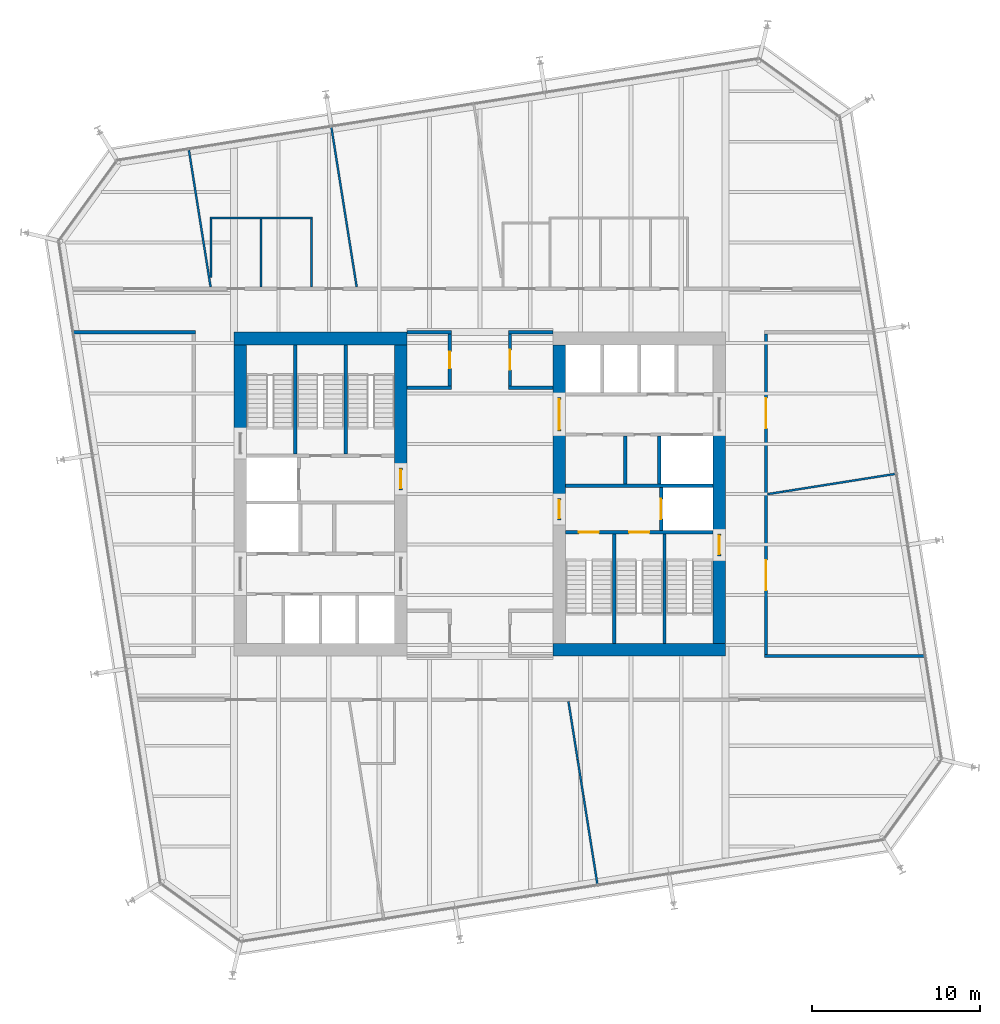
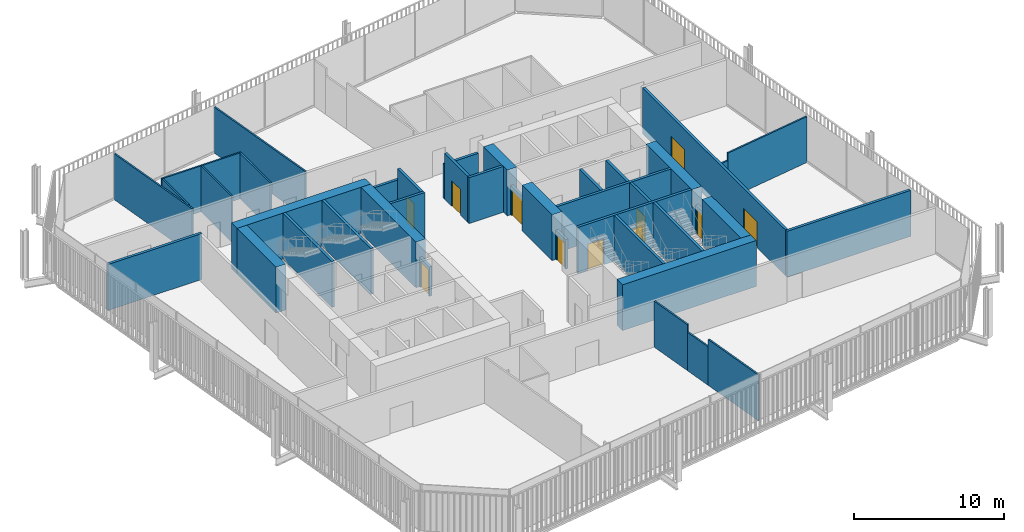
# One storey, part 18 of 21: 41 walls, 11 doors, 11 openings.
"""IFC4 building model written with IfcOpenShell, lengths in metres."""

from ifc_helpers import new_model, si_unit, direction, frame, frame_2d, origin, place, context, subcontext, project, spatial, rectangle, extrude, material, layer, layer_set, type_object, element, fill, save


model = new_model("IFC4")

# Units and contexts
model_context = context("Model", 3, precision=1e-05, world=origin(), true_north=direction((0.0, 1.0)))
body_context = subcontext(model_context, "Body", "Model", "MODEL_VIEW")
ifc_project = project(units=[si_unit("LENGTHUNIT", "METRE"), si_unit("AREAUNIT", "SQUARE_METRE"), si_unit("VOLUMEUNIT", "CUBIC_METRE"), si_unit("PLANEANGLEUNIT", "RADIAN"), si_unit("MASSUNIT", "GRAM", prefix="KILO")], contexts=[model_context])

# Site, building, storey
site_placement = place(None, origin())
site = spatial("IfcSite", under=ifc_project, at=site_placement, CompositionType="ELEMENT")
building_placement = place(site_placement, origin())
building = spatial("IfcBuilding", under=site, at=building_placement, Name="Millrace Tower", CompositionType="ELEMENT")
storey_placement = place(building_placement, frame((0.0, 0.0, 183.89990234375)))
storey = spatial("IfcBuildingStorey", under=building, at=storey_placement, Name="L41", CompositionType="ELEMENT", Elevation=183.89990234375)

# Walls
ifc_material_1 = material(Name="Concrete C70", Category="concrete")
ifc_layer_1 = layer(ifc_material_1, 0.75)
ifc_layer_set_1 = layer_set([ifc_layer_1], Name="Concrete C70")
wall_type_1 = type_object("IfcWallType", Name="Core wall 750 Concrete C70", PredefinedType="SHEAR", material=ifc_layer_set_1)
wall_1_placement = place(storey_placement, frame((-14.64990234375, 9.27490234375, 0.0), z_axis=(0.0, 0.0, 1.0), x_axis=(1.0, 0.0, 0.0)))
element("IfcWall", 1, at=wall_1_placement, inside=storey, type_object=wall_type_1, Name="Core wall W L41", PredefinedType="SHEAR", context=body_context, shape_type="SweptSolid", body=[
    extrude(rectangle(XDim=10.2998046875, YDim=0.75, at=frame_2d((5.14990234375, 0.0))), origin(), (0.0, 0.0, 1.0), 3.739990234375),
])
wall_2_placement = place(storey_placement, frame((-14.27490234375, 3.679931640625, 0.0), z_axis=(0.0, 0.0, 1.0), x_axis=(0.0, 1.0, 0.0)))
element("IfcWall", 2, at=wall_2_placement, inside=storey, type_object=wall_type_1, Name="Core wall W L41", PredefinedType="SHEAR", context=body_context, shape_type="SweptSolid", body=[
    extrude(rectangle(XDim=5.219970703125, YDim=0.75, at=frame_2d((2.60986328125, 0.0))), origin(), (0.0, 0.0, 1.0), 3.739990234375),
])
wall_3_placement = place(storey_placement, frame((-4.72509765625, 1.550048828125, 0.0), z_axis=(0.0, 0.0, 1.0), x_axis=(0.0, 1.0, 0.0)))
element("IfcWall", 3, at=wall_3_placement, inside=storey, type_object=wall_type_1, Name="Core wall W L41", PredefinedType="SHEAR", context=body_context, shape_type="SweptSolid", body=[
    extrude(rectangle(XDim=7.349853515625, YDim=0.75, at=frame_2d((3.6748046875, 0.0))), origin(), (0.0, 0.0, 1.0), 3.739990234375),
])
wall_4_placement = place(storey_placement, frame((14.64990234375, -9.27490234375, 0.0), z_axis=(0.0, 0.0, 1.0), x_axis=(-1.0, 0.0, 0.0)))
element("IfcWall", 4, at=wall_4_placement, inside=storey, type_object=wall_type_1, Name="Core wall E L41", PredefinedType="SHEAR", context=body_context, shape_type="SweptSolid", body=[
    extrude(rectangle(XDim=10.2998046875, YDim=0.75, at=frame_2d((5.14990234375, 0.0))), origin(), (0.0, 0.0, 1.0), 3.739990234375),
])
wall_5_placement = place(storey_placement, frame((14.27490234375, 3.75, 0.0), z_axis=(0.0, 0.0, 1.0), x_axis=(0.0, -1.0, 0.0)))
element("IfcWall", 5, at=wall_5_placement, inside=storey, type_object=wall_type_1, Name="Core wall E L41", PredefinedType="SHEAR", context=body_context, shape_type="SweptSolid", body=[
    extrude(rectangle(XDim=6.1298828125, YDim=0.75, at=frame_2d((3.06494140625, 0.0))), origin(), (0.0, 0.0, 1.0), 3.739990234375),
])
wall_6_placement = place(storey_placement, frame((14.27490234375, -3.679931640625, 0.0), z_axis=(0.0, 0.0, 1.0), x_axis=(0.0, -1.0, 0.0)))
element("IfcWall", 6, at=wall_6_placement, inside=storey, type_object=wall_type_1, Name="Core wall E L41", PredefinedType="SHEAR", context=body_context, shape_type="SweptSolid", body=[
    extrude(rectangle(XDim=5.219970703125, YDim=0.75, at=frame_2d((2.60986328125, 0.0))), origin(), (0.0, 0.0, 1.0), 3.739990234375),
])
wall_7_placement = place(storey_placement, frame((4.72509765625, 8.89990234375, 0.0), z_axis=(0.0, 0.0, 1.0), x_axis=(0.0, -1.0, 0.0)))
element("IfcWall", 7, at=wall_7_placement, inside=storey, type_object=wall_type_1, Name="Core wall E L41", PredefinedType="SHEAR", context=body_context, shape_type="SweptSolid", body=[
    extrude(rectangle(XDim=3.14990234375, YDim=0.75, at=frame_2d((1.574951171875, 0.0))), origin(), (0.0, 0.0, 1.0), 3.739990234375),
])
wall_8_placement = place(storey_placement, frame((4.72509765625, 3.75, 0.0), z_axis=(0.0, 0.0, 1.0), x_axis=(0.0, -1.0, 0.0)))
element("IfcWall", 8, at=wall_8_placement, inside=storey, type_object=wall_type_1, Name="Core wall E L41", PredefinedType="SHEAR", context=body_context, shape_type="SweptSolid", body=[
    extrude(rectangle(XDim=4.0, YDim=0.75, at=frame_2d((2.0, 0.0))), origin(), (0.0, 0.0, 1.0), 3.739990234375),
])
ifc_material_2 = material(Name="Masonry partition, fire-rated", Category="masonry")
ifc_layer_2 = layer(ifc_material_2, 0.199951171875)
ifc_layer_set_2 = layer_set([ifc_layer_2], Name="Masonry partition, fire-rated")
wall_type_2 = type_object("IfcWallType", Name="Corridor wall 200", PredefinedType="PARTITIONING", material=ifc_layer_set_2)
wall_9_placement = place(storey_placement, frame((16.949951171875, -9.64990234375, 0.0), z_axis=(0.0, 0.0, 1.0), x_axis=(1.0, 0.0, 0.0)))
element("IfcWall", 9, at=wall_9_placement, inside=storey, type_object=wall_type_2, Name="Corridor wall L41", PredefinedType="PARTITIONING", context=body_context, shape_type="SweptSolid", body=[
    extrude(rectangle(XDim=9.54638671875, YDim=0.199951171875, at=frame_2d((4.773193359375, 0.0))), origin(), (0.0, 0.0, 1.0), 3.739990234375),
])
for number, where, z_axis, x_axis, name in (
    (10, (-4.35009765625, 6.35009765625, 0.0), (0.0, 0.0, 1.0), (1.0, 0.0, 0.0), "Corridor wall L41"),
    (11, (1.699951171875, 6.35009765625, 0.0), (0.0, 0.0, 1.0), (1.0, 0.0, 0.0), "Corridor wall L41"),
):
    element("IfcWall", number, at=place(storey_placement, frame(where, z_axis=z_axis, x_axis=x_axis)), inside=storey, type_object=wall_type_2, Name=name, PredefinedType="PARTITIONING", context=body_context, shape_type="SweptSolid", body=[
        extrude(rectangle(XDim=2.650146484375, YDim=0.199951171875, at=frame_2d((1.3251953125, 0.0))), origin(), (0.0, 0.0, 1.0), 3.739990234375),
    ])
wall_10_placement = place(storey_placement, frame((-24.20703125, 9.64990234375, 0.0), z_axis=(0.0, 0.0, 1.0), x_axis=(1.0, 0.0, 0.0)))
element("IfcWall", 12, at=wall_10_placement, inside=storey, type_object=wall_type_2, Name="Corridor wall L41", PredefinedType="PARTITIONING", context=body_context, shape_type="SweptSolid", body=[
    extrude(rectangle(XDim=7.257080078125, YDim=0.199951171875, at=frame_2d((3.62841796875, 0.0))), origin(), (0.0, 0.0, 1.0), 3.739990234375),
])
for number, where, z_axis, x_axis, name in (
    (13, (-4.35009765625, 9.64990234375, 0.0), (0.0, 0.0, 1.0), (1.0, 0.0, 0.0), "Corridor wall L41"),
    (14, (1.699951171875, 9.64990234375, 0.0), (0.0, 0.0, 1.0), (1.0, 0.0, 0.0), "Corridor wall L41"),
):
    element("IfcWall", number, at=place(storey_placement, frame(where, z_axis=z_axis, x_axis=x_axis)), inside=storey, type_object=wall_type_2, Name=name, PredefinedType="PARTITIONING", context=body_context, shape_type="SweptSolid", body=[
        extrude(rectangle(XDim=2.650146484375, YDim=0.199951171875, at=frame_2d((1.3251953125, 0.0))), origin(), (0.0, 0.0, 1.0), 2.81298828125),
    ])

# Wall, openings, doors
wall_11_placement = place(storey_placement, frame((17.050048828125, -9.550048828125, 0.0), z_axis=(0.0, 0.0, 1.0), x_axis=(0.0, 1.0, 0.0)))
wall_11 = element("IfcWall", 15, at=wall_11_placement, inside=storey, type_object=wall_type_2, Name="Corridor wall L41", PredefinedType="PARTITIONING", context=body_context, shape_type="SweptSolid", body=[
    extrude(rectangle(XDim=19.10009765625, YDim=0.199951171875, at=frame_2d((9.550048828125, 0.0))), origin(), (0.0, 0.0, 1.0), 3.739990234375),
])
opening_1_placement = place(wall_11_placement, frame((3.81689453125, 0.0, 0.0)))
opening_1 = element("IfcOpeningElement", 16, at=opening_1_placement, cuts=wall_11, Name="Opening 41-P012", PredefinedType="OPENING", context=body_context, shape_type="SweptSolid", body=[
    extrude(rectangle(XDim=1.800048828125, YDim=2.10009765625, at=frame_2d((0.89990234375, 1.050048828125))), frame((0.0, 0.10986328125, 0.0), z_axis=(0.0, -1.0, 0.0), x_axis=(1.0, 0.0, 0.0)), (0.0, 0.0, 1.0), 0.219970703125),
])
opening_2_placement = place(wall_11_placement, frame((13.467041015625, 0.0, 0.0)))
opening_2 = element("IfcOpeningElement", 17, at=opening_2_placement, cuts=wall_11, Name="Opening 41-P013", PredefinedType="OPENING", context=body_context, shape_type="SweptSolid", body=[
    extrude(rectangle(XDim=1.800048828125, YDim=2.10009765625, at=frame_2d((0.89990234375, 1.050048828125))), frame((0.0, 0.10986328125, 0.0), z_axis=(0.0, -1.0, 0.0), x_axis=(1.0, 0.0, 0.0)), (0.0, 0.0, 1.0), 0.219970703125),
])
ifc_material_3 = material(Name="Steel door set, fire-rated", Category="steel")
door_type_1 = type_object("IfcDoorType", Name="Corridor door 1800 x 2100", OperationType="DOUBLE_DOOR_SINGLE_SWING", PredefinedType="DOOR", material=ifc_material_3)
door_1_placement = place(opening_1_placement, frame((1.800048828125, 0.0, 0.0), z_axis=(0.0, 0.0, 1.0), x_axis=(-1.0, 0.0, 0.0)))
door_1 = element("IfcDoor", 18, at=door_1_placement, inside=storey, type_object=door_type_1, Name="Door 41-P012", OperationType="DOUBLE_DOOR_SINGLE_SWING", OverallHeight=2.10009765625, OverallWidth=1.800048828125, PredefinedType="DOOR", context=body_context, shape_type="SweptSolid", body=[
    extrude(rectangle(XDim=1.800048828125, YDim=2.10009765625, at=frame_2d((0.89990234375, 1.050048828125))), frame((0.0, 0.02490234375, 0.0), z_axis=(0.0, -1.0, 0.0), x_axis=(1.0, 0.0, 0.0)), (0.0, 0.0, 1.0), 0.050048828125),
])
fill(opening_1, door_1)
door_2_placement = place(opening_2_placement, frame((1.800048828125, 0.0, 0.0), z_axis=(0.0, 0.0, 1.0), x_axis=(-1.0, 0.0, 0.0)))
door_2 = element("IfcDoor", 19, at=door_2_placement, inside=storey, type_object=door_type_1, Name="Door 41-P013", OperationType="DOUBLE_DOOR_SINGLE_SWING", OverallHeight=2.10009765625, OverallWidth=1.800048828125, PredefinedType="DOOR", context=body_context, shape_type="SweptSolid", body=[
    extrude(rectangle(XDim=1.800048828125, YDim=2.10009765625, at=frame_2d((0.89990234375, 1.050048828125))), frame((0.0, 0.02490234375, 0.0), z_axis=(0.0, -1.0, 0.0), x_axis=(1.0, 0.0, 0.0)), (0.0, 0.0, 1.0), 0.050048828125),
])
fill(opening_2, door_2)

# Wall, opening, door
wall_12_placement = place(storey_placement, frame((1.800048828125, 6.449951171875, 0.0), z_axis=(0.0, 0.0, 1.0), x_axis=(0.0, 1.0, 0.0)))
wall_12 = element("IfcWall", 20, at=wall_12_placement, inside=storey, type_object=wall_type_2, Name="Corridor wall L41", PredefinedType="PARTITIONING", context=body_context, shape_type="SweptSolid", body=[
    extrude(rectangle(XDim=3.10009765625, YDim=0.199951171875, at=frame_2d((1.550048828125, 0.0))), origin(), (0.0, 0.0, 1.0), 3.739990234375),
])
opening_3_placement = place(wall_12_placement, frame((0.949951171875, 0.0, 0.0)))
opening_3 = element("IfcOpeningElement", 21, at=opening_3_placement, cuts=wall_12, Name="Opening 41-P002", PredefinedType="OPENING", context=body_context, shape_type="SweptSolid", body=[
    extrude(rectangle(XDim=1.199951171875, YDim=2.10009765625, at=frame_2d((0.60009765625, 1.050048828125))), frame((0.0, 0.10986328125, 0.0), z_axis=(0.0, -1.0, 0.0), x_axis=(1.0, 0.0, 0.0)), (0.0, 0.0, 1.0), 0.219970703125),
])
ifc_material_4 = material(Name="Steel door set, fire-rated", Category="steel")
door_type_2 = type_object("IfcDoorType", Name="Corridor door 1200 x 2100", OperationType="SINGLE_SWING_LEFT", PredefinedType="DOOR", material=ifc_material_4)
door_3_placement = place(opening_3_placement, frame((1.199951171875, 0.0, 0.0), z_axis=(0.0, 0.0, 1.0), x_axis=(-1.0, 0.0, 0.0)))
door_3 = element("IfcDoor", 22, at=door_3_placement, inside=storey, type_object=door_type_2, Name="Door 41-P002", OperationType="SINGLE_SWING_RIGHT", OverallHeight=2.10009765625, OverallWidth=1.199951171875, PredefinedType="DOOR", context=body_context, shape_type="SweptSolid", body=[
    extrude(rectangle(XDim=1.199951171875, YDim=2.10009765625, at=frame_2d((0.60009765625, 1.050048828125))), frame((0.0, 0.02490234375, 0.0), z_axis=(0.0, -1.0, 0.0), x_axis=(1.0, 0.0, 0.0)), (0.0, 0.0, 1.0), 0.050048828125),
])
fill(opening_3, door_3)

wall_13_placement = place(storey_placement, frame((-1.800048828125, 6.449951171875, 0.0), z_axis=(0.0, 0.0, 1.0), x_axis=(0.0, 1.0, 0.0)))
wall_13 = element("IfcWall", 23, at=wall_13_placement, inside=storey, type_object=wall_type_2, Name="Corridor wall L41", PredefinedType="PARTITIONING", context=body_context, shape_type="SweptSolid", body=[
    extrude(rectangle(XDim=3.10009765625, YDim=0.199951171875, at=frame_2d((1.550048828125, 0.0))), origin(), (0.0, 0.0, 1.0), 3.739990234375),
])
opening_4_placement = place(wall_13_placement, frame((1.050048828125, 0.0, 0.0)))
opening_4 = element("IfcOpeningElement", 24, at=opening_4_placement, cuts=wall_13, Name="Opening 41-P001", PredefinedType="OPENING", context=body_context, shape_type="SweptSolid", body=[
    extrude(rectangle(XDim=1.0, YDim=2.10009765625, at=frame_2d((0.5, 1.050048828125))), frame((0.0, 0.10986328125, 0.0), z_axis=(0.0, -1.0, 0.0), x_axis=(1.0, 0.0, 0.0)), (0.0, 0.0, 1.0), 0.219970703125),
])
ifc_material_5 = material(Name="Steel door set, fire-rated", Category="steel")
door_type_3 = type_object("IfcDoorType", Name="Corridor door 1000 x 2100", OperationType="SINGLE_SWING_LEFT", PredefinedType="DOOR", material=ifc_material_5)
door_4_placement = place(opening_4_placement, origin())
door_4 = element("IfcDoor", 25, at=door_4_placement, inside=storey, type_object=door_type_3, Name="Door 41-P001", OperationType="SINGLE_SWING_LEFT", OverallHeight=2.10009765625, OverallWidth=1.0, PredefinedType="DOOR", context=body_context, shape_type="SweptSolid", body=[
    extrude(rectangle(XDim=1.0, YDim=2.10009765625, at=frame_2d((0.5, 1.050048828125))), frame((0.0, 0.02490234375, 0.0), z_axis=(0.0, -1.0, 0.0), x_axis=(1.0, 0.0, 0.0)), (0.0, 0.0, 1.0), 0.050048828125),
])
fill(opening_4, door_4)

# Wall
ifc_material_6 = material(Name="Masonry partition, fire-rated", Category="masonry")
ifc_layer_3 = layer(ifc_material_6, 0.199951171875)
ifc_layer_set_3 = layer_set([ifc_layer_3], Name="Masonry partition, fire-rated")
wall_type_3 = type_object("IfcWallType", Name="Lift shaft wall 200", PredefinedType="PARTITIONING", material=ifc_layer_set_3)
wall_14_placement = place(storey_placement, frame((13.89990234375, 0.5, 0.0), z_axis=(0.0, 0.0, 1.0), x_axis=(-1.0, 0.0, 0.0)))
element("IfcWall", 26, at=wall_14_placement, inside=storey, type_object=wall_type_3, Name="Lift shaft wall E L41", PredefinedType="PARTITIONING", context=body_context, shape_type="SweptSolid", body=[
    extrude(rectangle(XDim=8.7998046875, YDim=0.199951171875, at=frame_2d((4.39990234375, 0.0))), origin(), (0.0, 0.0, 1.0), 3.739990234375),
])

# Wall, opening, door
wall_15_placement = place(storey_placement, frame((10.800048828125, 0.39990234375, 0.0), z_axis=(0.0, 0.0, 1.0), x_axis=(0.0, -1.0, 0.0)))
wall_15 = element("IfcWall", 27, at=wall_15_placement, inside=storey, type_object=wall_type_3, Name="Lift shaft wall E L41", PredefinedType="PARTITIONING", context=body_context, shape_type="SweptSolid", body=[
    extrude(rectangle(XDim=2.579833984375, YDim=0.199951171875, at=frame_2d((1.2900390625, 0.0))), origin(), (0.0, 0.0, 1.0), 3.739990234375),
])
opening_5_placement = place(wall_15_placement, frame((0.68994140625, 0.0, 0.0)))
opening_5 = element("IfcOpeningElement", 28, at=opening_5_placement, cuts=wall_15, Name="Opening 41-LD16", PredefinedType="OPENING", context=body_context, shape_type="SweptSolid", body=[
    extrude(rectangle(XDim=1.199951171875, YDim=2.10009765625, at=frame_2d((0.60009765625, 1.050048828125))), frame((0.0, 0.10986328125, 0.0), z_axis=(0.0, -1.0, 0.0), x_axis=(1.0, 0.0, 0.0)), (0.0, 0.0, 1.0), 0.219970703125),
])
ifc_material_7 = material(Name="Stainless steel, fire-rated", Category="steel")
door_type_4 = type_object("IfcDoorType", Name="Lift landing door 1200 x 2100", OperationType="DOUBLE_DOOR_SLIDING", PredefinedType="DOOR", material=ifc_material_7)
door_5_placement = place(opening_5_placement, origin())
door_5 = element("IfcDoor", 29, at=door_5_placement, inside=storey, type_object=door_type_4, Name="Lift landing door LF16 L41", OperationType="DOUBLE_DOOR_SLIDING", OverallHeight=2.10009765625, OverallWidth=1.199951171875, PredefinedType="DOOR", context=body_context, shape_type="SweptSolid", body=[
    extrude(rectangle(XDim=1.199951171875, YDim=2.10009765625, at=frame_2d((0.60009765625, 1.050048828125))), frame((0.0, 0.02490234375, 0.0), z_axis=(0.0, -1.0, 0.0), x_axis=(1.0, 0.0, 0.0)), (0.0, 0.0, 1.0), 0.050048828125),
])
fill(opening_5, door_5)

# Wall
wall_16_placement = place(storey_placement, frame((10.699951171875, 3.449951171875, 0.0), z_axis=(0.0, 0.0, 1.0), x_axis=(0.0, -1.0, 0.0)))
element("IfcWall", 30, at=wall_16_placement, inside=storey, type_object=wall_type_3, Name="Lift shaft wall E L41", PredefinedType="PARTITIONING", context=body_context, shape_type="SweptSolid", body=[
    extrude(rectangle(XDim=2.849853515625, YDim=0.199951171875, at=frame_2d((1.4248046875, 0.0))), origin(), (0.0, 0.0, 1.0), 3.739990234375),
])

# Wall, opening, door
ifc_material_8 = material(Name="Masonry partition, fire-rated", Category="masonry")
ifc_layer_4 = layer(ifc_material_8, 0.199951171875)
ifc_layer_set_4 = layer_set([ifc_layer_4], Name="Masonry partition, fire-rated")
wall_type_4 = type_object("IfcWallType", Name="Lobby wall 200", PredefinedType="PARTITIONING", material=ifc_layer_set_4)
wall_17_placement = place(storey_placement, frame((-4.72509765625, 0.25, 0.0), z_axis=(0.0, 0.0, 1.0), x_axis=(0.0, 1.0, 0.0)))
wall_17 = element("IfcWall", 31, at=wall_17_placement, inside=storey, type_object=wall_type_4, Name="Lobby wall W L41", PredefinedType="PARTITIONING", context=body_context, shape_type="SweptSolid", body=[
    extrude(rectangle(XDim=1.300048828125, YDim=0.199951171875, at=frame_2d((0.64990234375, 0.0))), origin(), (0.0, 0.0, 1.0), 2.400146484375),
])
opening_6_placement = place(wall_17_placement, frame((0.10009765625, 0.0, 0.0)))
opening_6 = element("IfcOpeningElement", 32, at=opening_6_placement, cuts=wall_17, Name="Opening 41-C004", PredefinedType="OPENING", context=body_context, shape_type="SweptSolid", body=[
    extrude(rectangle(XDim=1.10009765625, YDim=2.10009765625, at=frame_2d((0.550048828125, 1.050048828125))), frame((0.0, 0.10986328125, 0.0), z_axis=(0.0, -1.0, 0.0), x_axis=(1.0, 0.0, 0.0)), (0.0, 0.0, 1.0), 0.219970703125),
])
ifc_material_9 = material(Name="Steel door, fire-rated", Category="steel")
door_type_5 = type_object("IfcDoorType", Name="Lobby door 1100 x 2100", OperationType="SINGLE_SWING_LEFT", PredefinedType="DOOR", material=ifc_material_9)
door_6_placement = place(opening_6_placement, origin())
door_6 = element("IfcDoor", 33, at=door_6_placement, inside=storey, type_object=door_type_5, Name="Lobby door 41-C004", OperationType="SINGLE_SWING_LEFT", OverallHeight=2.10009765625, OverallWidth=1.10009765625, PredefinedType="DOOR", context=body_context, shape_type="SweptSolid", body=[
    extrude(rectangle(XDim=1.10009765625, YDim=2.10009765625, at=frame_2d((0.550048828125, 1.050048828125))), frame((0.0, 0.02490234375, 0.0), z_axis=(0.0, -1.0, 0.0), x_axis=(1.0, 0.0, 0.0)), (0.0, 0.0, 1.0), 0.050048828125),
])
fill(opening_6, door_6)

wall_18_placement = place(storey_placement, frame((4.72509765625, 5.75, 0.0), z_axis=(0.0, 0.0, 1.0), x_axis=(0.0, -1.0, 0.0)))
wall_18 = element("IfcWall", 34, at=wall_18_placement, inside=storey, type_object=wall_type_4, Name="Lobby wall E L41", PredefinedType="PARTITIONING", context=body_context, shape_type="SweptSolid", body=[
    extrude(rectangle(XDim=2.0, YDim=0.199951171875, at=frame_2d((1.0, 0.0))), origin(), (0.0, 0.0, 1.0), 2.400146484375),
])
opening_7_placement = place(wall_18_placement, frame((0.10009765625, 0.0, 0.0)))
opening_7 = element("IfcOpeningElement", 35, at=opening_7_placement, cuts=wall_18, Name="Opening 41-C012", PredefinedType="OPENING", context=body_context, shape_type="SweptSolid", body=[
    extrude(rectangle(XDim=1.800048828125, YDim=2.10009765625, at=frame_2d((0.89990234375, 1.050048828125))), frame((0.0, 0.10986328125, 0.0), z_axis=(0.0, -1.0, 0.0), x_axis=(1.0, 0.0, 0.0)), (0.0, 0.0, 1.0), 0.219970703125),
])
ifc_material_10 = material(Name="Steel door, fire-rated", Category="steel")
door_type_6 = type_object("IfcDoorType", Name="Lobby door 1800 x 2100", OperationType="DOUBLE_DOOR_SINGLE_SWING", PredefinedType="DOOR", material=ifc_material_10)
door_7_placement = place(opening_7_placement, origin())
door_7 = element("IfcDoor", 36, at=door_7_placement, inside=storey, type_object=door_type_6, Name="Lobby door 41-C012", OperationType="DOUBLE_DOOR_SINGLE_SWING", OverallHeight=2.10009765625, OverallWidth=1.800048828125, PredefinedType="DOOR", context=body_context, shape_type="SweptSolid", body=[
    extrude(rectangle(XDim=1.800048828125, YDim=2.10009765625, at=frame_2d((0.89990234375, 1.050048828125))), frame((0.0, 0.02490234375, 0.0), z_axis=(0.0, -1.0, 0.0), x_axis=(1.0, 0.0, 0.0)), (0.0, 0.0, 1.0), 0.050048828125),
])
fill(opening_7, door_7)

wall_19_placement = place(storey_placement, frame((4.72509765625, -0.25, 0.0), z_axis=(0.0, 0.0, 1.0), x_axis=(0.0, -1.0, 0.0)))
wall_19 = element("IfcWall", 37, at=wall_19_placement, inside=storey, type_object=wall_type_4, Name="Lobby wall E L41", PredefinedType="PARTITIONING", context=body_context, shape_type="SweptSolid", body=[
    extrude(rectangle(XDim=1.300048828125, YDim=0.199951171875, at=frame_2d((0.64990234375, 0.0))), origin(), (0.0, 0.0, 1.0), 2.400146484375),
])
opening_8_placement = place(wall_19_placement, frame((0.10009765625, 0.0, 0.0)))
opening_8 = element("IfcOpeningElement", 38, at=opening_8_placement, cuts=wall_19, Name="Opening 41-C013", PredefinedType="OPENING", context=body_context, shape_type="SweptSolid", body=[
    extrude(rectangle(XDim=1.10009765625, YDim=2.10009765625, at=frame_2d((0.550048828125, 1.050048828125))), frame((0.0, 0.10986328125, 0.0), z_axis=(0.0, -1.0, 0.0), x_axis=(1.0, 0.0, 0.0)), (0.0, 0.0, 1.0), 0.219970703125),
])
door_8_placement = place(opening_8_placement, origin())
door_8 = element("IfcDoor", 39, at=door_8_placement, inside=storey, type_object=door_type_5, Name="Lobby door 41-C013", OperationType="SINGLE_SWING_RIGHT", OverallHeight=2.10009765625, OverallWidth=1.10009765625, PredefinedType="DOOR", context=body_context, shape_type="SweptSolid", body=[
    extrude(rectangle(XDim=1.10009765625, YDim=2.10009765625, at=frame_2d((0.550048828125, 1.050048828125))), frame((0.0, 0.02490234375, 0.0), z_axis=(0.0, -1.0, 0.0), x_axis=(1.0, 0.0, 0.0)), (0.0, 0.0, 1.0), 0.050048828125),
])
fill(opening_8, door_8)

# Walls
ifc_material_11 = material(Name="Gypsum board partition")
ifc_layer_5 = layer(ifc_material_11, 0.1201171875)
ifc_layer_set_5 = layer_set([ifc_layer_5], Name="Gypsum board partition")
wall_type_5 = type_object("IfcWallType", Name="Partition wall 120", PredefinedType="PARTITIONING", material=ifc_layer_set_5)
wall_20_placement = place(storey_placement, frame((-17.345703125, 20.535888671875, 0.0), z_axis=(0.0, 0.0, 1.0), x_axis=(0.156484349296, -0.987680438414, 0.0)))
element("IfcWall", 40, at=wall_20_placement, inside=storey, type_object=wall_type_5, Name="Partition wall L41", PredefinedType="PARTITIONING", context=body_context, shape_type="SweptSolid", body=[
    extrude(rectangle(XDim=8.2890625, YDim=0.1201171875, at=frame_2d((4.14453125, 0.0))), origin(), (0.0, 0.0, 1.0), 3.739990234375),
])
wall_21_placement = place(storey_placement, frame((-8.851806640625, 21.88134765625, 0.0), z_axis=(0.0, 0.0, 1.0), x_axis=(0.156480845836, -0.987680993482, 0.0)))
element("IfcWall", 41, at=wall_21_placement, inside=storey, type_object=wall_type_5, Name="Partition wall L41", PredefinedType="PARTITIONING", context=body_context, shape_type="SweptSolid", body=[
    extrude(rectangle(XDim=9.6513671875, YDim=0.1201171875, at=frame_2d((4.82568359375, 0.0))), origin(), (0.0, 0.0, 1.0), 3.739990234375),
])
wall_22_placement = place(storey_placement, frame((5.27783203125, -12.3486328125, 0.0), z_axis=(0.0, 0.0, 1.0), x_axis=(0.156480856271, -0.987680991829, 0.0)))
element("IfcWall", 42, at=wall_22_placement, inside=storey, type_object=wall_type_5, Name="Partition wall L41", PredefinedType="PARTITIONING", context=body_context, shape_type="SweptSolid", body=[
    extrude(rectangle(XDim=3.50732421875, YDim=0.1201171875, at=frame_2d((1.753662109375, 0.0))), origin(), (0.0, 0.0, 1.0), 3.739990234375),
])
wall_23_placement = place(storey_placement, frame((5.82666015625, -15.812744140625, 0.0), z_axis=(0.0, 0.0, 1.0), x_axis=(0.156375374173, -0.987697697857, 0.0)))
element("IfcWall", 43, at=wall_23_placement, inside=storey, type_object=wall_type_5, Name="Partition wall L41", PredefinedType="PARTITIONING", context=body_context, shape_type="SweptSolid", body=[
    extrude(rectangle(XDim=2.217041015625, YDim=0.1201171875, at=frame_2d((1.1083984375, 0.0))), origin(), (0.0, 0.0, 1.0), 3.133056640625),
])
wall_24_placement = place(storey_placement, frame((6.17333984375, -18.00244140625, 0.0), z_axis=(0.0, 0.0, 1.0), x_axis=(0.156486008291, -0.987680175568, 0.0)))
element("IfcWall", 44, at=wall_24_placement, inside=storey, type_object=wall_type_5, Name="Partition wall L41", PredefinedType="PARTITIONING", context=body_context, shape_type="SweptSolid", body=[
    extrude(rectangle(XDim=5.31689453125, YDim=0.1201171875, at=frame_2d((2.658447265625, 0.0))), origin(), (0.0, 0.0, 1.0), 3.739990234375),
])
wall_25_placement = place(storey_placement, frame((-16.093017578125, 16.449951171875, 0.0), z_axis=(0.0, 0.0, 1.0), x_axis=(1.0, 0.0, 0.0)))
element("IfcWall", 45, at=wall_25_placement, inside=storey, type_object=wall_type_5, Name="Partition wall L41", PredefinedType="PARTITIONING", context=body_context, shape_type="SweptSolid", body=[
    extrude(rectangle(XDim=6.1201171875, YDim=0.1201171875, at=frame_2d((3.06005859375, 0.0))), origin(), (0.0, 0.0, 1.0), 3.739990234375),
])
wall_26_placement = place(storey_placement, frame((17.148681640625, -0.000244140625, 0.0), z_axis=(0.0, 0.0, 1.0), x_axis=(0.987721262279, 0.156226463961, 0.0)))
element("IfcWall", 46, at=wall_26_placement, inside=storey, type_object=wall_type_5, Name="Partition wall L41", PredefinedType="PARTITIONING", context=body_context, shape_type="SweptSolid", body=[
    extrude(rectangle(XDim=0.9501953125, YDim=0.1201171875, at=frame_2d((0.47509765625, 0.0))), origin(), (0.0, 0.0, 1.0), 3.140625),
])
wall_27_placement = place(storey_placement, frame((18.087158203125, 0.148193359375, 0.0), z_axis=(0.0, 0.0, 1.0), x_axis=(0.987686857181, 0.156443830663, 0.0)))
element("IfcWall", 47, at=wall_27_placement, inside=storey, type_object=wall_type_5, Name="Partition wall L41", PredefinedType="PARTITIONING", context=body_context, shape_type="SweptSolid", body=[
    extrude(rectangle(XDim=6.77294921875, YDim=0.1201171875, at=frame_2d((3.386474609375, 0.0))), origin(), (0.0, 0.0, 1.0), 3.739990234375),
])
for number, where, z_axis, x_axis, name in (
    (48, (-10.032958984375, 12.35009765625, 0.0), (0.0, 0.0, 1.0), (0.0, 1.0, 0.0), "Partition wall L41"),
    (49, (-13.032958984375, 12.35009765625, 0.0), (0.0, 0.0, 1.0), (0.0, 1.0, 0.0), "Partition wall L41"),
):
    element("IfcWall", number, at=place(storey_placement, frame(where, z_axis=z_axis, x_axis=x_axis)), inside=storey, type_object=wall_type_5, Name=name, PredefinedType="PARTITIONING", context=body_context, shape_type="SweptSolid", body=[
        extrude(rectangle(XDim=4.039794921875, YDim=0.1201171875, at=frame_2d((2.02001953125, 0.0))), origin(), (0.0, 0.0, 1.0), 3.739990234375),
    ])
wall_28_placement = place(storey_placement, frame((-16.032958984375, 12.91748046875, 0.0), z_axis=(0.0, 0.0, 1.0), x_axis=(0.0, 1.0, 0.0)))
element("IfcWall", 50, at=wall_28_placement, inside=storey, type_object=wall_type_5, Name="Partition wall L41", PredefinedType="PARTITIONING", context=body_context, shape_type="SweptSolid", body=[
    extrude(rectangle(XDim=3.472412109375, YDim=0.1201171875, at=frame_2d((1.736328125, 0.0))), origin(), (0.0, 0.0, 1.0), 3.739990234375),
])
ifc_material_12 = material(Name="Masonry partition, fire-rated", Category="masonry")
ifc_layer_6 = layer(ifc_material_12, 0.199951171875)
ifc_layer_set_6 = layer_set([ifc_layer_6], Name="Masonry partition, fire-rated")
wall_type_6 = type_object("IfcWallType", Name="Room partition 200", PredefinedType="PARTITIONING", material=ifc_layer_set_6)
wall_29_placement = place(storey_placement, frame((8.675048828125, 3.449951171875, 0.0), z_axis=(0.0, 0.0, 1.0), x_axis=(0.0, -1.0, 0.0)))
element("IfcWall", 51, at=wall_29_placement, inside=storey, type_object=wall_type_6, Name="Room partition E L41", PredefinedType="PARTITIONING", context=body_context, shape_type="SweptSolid", body=[
    extrude(rectangle(XDim=2.849853515625, YDim=0.199951171875, at=frame_2d((1.4248046875, 0.0))), origin(), (0.0, 0.0, 1.0), 3.739990234375),
])
ifc_material_13 = material(Name="Concrete C40", Category="concrete")
ifc_layer_7 = layer(ifc_material_13, 0.199951171875)
ifc_layer_set_7 = layer_set([ifc_layer_7], Name="Concrete C40")
wall_type_7 = type_object("IfcWallType", Name="Stair enclosure wall 200 Concrete C40", PredefinedType="SHEAR", material=ifc_layer_set_7)
for number, where, z_axis, x_axis, name in (
    (52, (-11.0, 2.3798828125, 0.0), (0.0, 0.0, 1.0), (0.0, 1.0, 0.0), "Stair enclosure wall W L41"),
    (53, (-8.0, 2.3798828125, 0.0), (0.0, 0.0, 1.0), (0.0, 1.0, 0.0), "Stair enclosure wall W L41"),
):
    element("IfcWall", number, at=place(storey_placement, frame(where, z_axis=z_axis, x_axis=x_axis)), inside=storey, type_object=wall_type_7, Name=name, PredefinedType="SHEAR", context=body_context, shape_type="SweptSolid", body=[
        extrude(rectangle(XDim=6.52001953125, YDim=0.199951171875, at=frame_2d((3.260009765625, 0.0))), origin(), (0.0, 0.0, 1.0), 3.739990234375),
    ])

# Wall, opening, door
wall_30_placement = place(storey_placement, frame((14.27490234375, -2.3798828125, 0.0), z_axis=(0.0, 0.0, 1.0), x_axis=(0.0, -1.0, 0.0)))
wall_30 = element("IfcWall", 54, at=wall_30_placement, inside=storey, type_object=wall_type_7, Name="Stair enclosure wall E L41", PredefinedType="SHEAR", context=body_context, shape_type="SweptSolid", body=[
    extrude(rectangle(XDim=1.300048828125, YDim=0.199951171875, at=frame_2d((0.64990234375, 0.0))), origin(), (0.0, 0.0, 1.0), 2.400146484375),
])
opening_9_placement = place(wall_30_placement, frame((0.10009765625, 0.0, 0.0)))
opening_9 = element("IfcOpeningElement", 55, at=opening_9_placement, cuts=wall_30, Name="Opening 41-C011", PredefinedType="OPENING", context=body_context, shape_type="SweptSolid", body=[
    extrude(rectangle(XDim=1.10009765625, YDim=2.10009765625, at=frame_2d((0.550048828125, 1.050048828125))), frame((0.0, 0.10986328125, 0.0), z_axis=(0.0, -1.0, 0.0), x_axis=(1.0, 0.0, 0.0)), (0.0, 0.0, 1.0), 0.219970703125),
])
ifc_material_14 = material(Name="Steel door, fire-rated", Category="steel")
door_type_7 = type_object("IfcDoorType", Name="Stair door 1100 x 2100", OperationType="SINGLE_SWING_LEFT", PredefinedType="DOOR", material=ifc_material_14)
door_9_placement = place(opening_9_placement, origin())
door_9 = element("IfcDoor", 56, at=door_9_placement, inside=storey, type_object=door_type_7, Name="Stair door 41-C011", OperationType="SINGLE_SWING_LEFT", OverallHeight=2.10009765625, OverallWidth=1.10009765625, PredefinedType="DOOR", context=body_context, shape_type="SweptSolid", body=[
    extrude(rectangle(XDim=1.10009765625, YDim=2.10009765625, at=frame_2d((0.550048828125, 1.050048828125))), frame((0.0, 0.02490234375, 0.0), z_axis=(0.0, -1.0, 0.0), x_axis=(1.0, 0.0, 0.0)), (0.0, 0.0, 1.0), 0.050048828125),
])
fill(opening_9, door_9)

# Wall, openings, doors
wall_31_placement = place(storey_placement, frame((13.89990234375, -2.280029296875, 0.0), z_axis=(0.0, 0.0, 1.0), x_axis=(-1.0, 0.0, 0.0)))
wall_31 = element("IfcWall", 57, at=wall_31_placement, inside=storey, type_object=wall_type_7, Name="Stair enclosure wall E L41", PredefinedType="SHEAR", context=body_context, shape_type="SweptSolid", body=[
    extrude(rectangle(XDim=8.7998046875, YDim=0.199951171875, at=frame_2d((4.39990234375, 0.0))), origin(), (0.0, 0.0, 1.0), 3.739990234375),
])
opening_10_placement = place(wall_31_placement, frame((3.800048828125, 0.0, 0.0)))
opening_10 = element("IfcOpeningElement", 58, at=opening_10_placement, cuts=wall_31, Name="Opening 41-C017", PredefinedType="OPENING", context=body_context, shape_type="SweptSolid", body=[
    extrude(rectangle(XDim=1.199951171875, YDim=2.10009765625, at=frame_2d((0.60009765625, 1.050048828125))), frame((0.0, 0.10986328125, 0.0), z_axis=(0.0, -1.0, 0.0), x_axis=(1.0, 0.0, 0.0)), (0.0, 0.0, 1.0), 0.219970703125),
])
opening_11_placement = place(wall_31_placement, frame((6.800048828125, 0.0, 0.0)))
opening_11 = element("IfcOpeningElement", 59, at=opening_11_placement, cuts=wall_31, Name="Opening 41-C018", PredefinedType="OPENING", context=body_context, shape_type="SweptSolid", body=[
    extrude(rectangle(XDim=1.199951171875, YDim=2.10009765625, at=frame_2d((0.60009765625, 1.050048828125))), frame((0.0, 0.10986328125, 0.0), z_axis=(0.0, -1.0, 0.0), x_axis=(1.0, 0.0, 0.0)), (0.0, 0.0, 1.0), 0.219970703125),
])
ifc_material_15 = material(Name="Steel door, fire-rated", Category="steel")
door_type_8 = type_object("IfcDoorType", Name="Stair door 1200 x 2100", OperationType="SINGLE_SWING_LEFT", PredefinedType="DOOR", material=ifc_material_15)
door_10_placement = place(opening_10_placement, frame((1.199951171875, 0.0, 0.0), z_axis=(0.0, 0.0, 1.0), x_axis=(-1.0, 0.0, 0.0)))
door_10 = element("IfcDoor", 60, at=door_10_placement, inside=storey, type_object=door_type_8, Name="Stair door 41-C017", OperationType="SINGLE_SWING_RIGHT", OverallHeight=2.10009765625, OverallWidth=1.199951171875, PredefinedType="DOOR", context=body_context, shape_type="SweptSolid", body=[
    extrude(rectangle(XDim=1.199951171875, YDim=2.10009765625, at=frame_2d((0.60009765625, 1.050048828125))), frame((0.0, 0.02490234375, 0.0), z_axis=(0.0, -1.0, 0.0), x_axis=(1.0, 0.0, 0.0)), (0.0, 0.0, 1.0), 0.050048828125),
])
fill(opening_10, door_10)
door_11_placement = place(opening_11_placement, frame((1.199951171875, 0.0, 0.0), z_axis=(0.0, 0.0, 1.0), x_axis=(-1.0, 0.0, 0.0)))
door_11 = element("IfcDoor", 61, at=door_11_placement, inside=storey, type_object=door_type_8, Name="Stair door 41-C018", OperationType="SINGLE_SWING_LEFT", OverallHeight=2.10009765625, OverallWidth=1.199951171875, PredefinedType="DOOR", context=body_context, shape_type="SweptSolid", body=[
    extrude(rectangle(XDim=1.199951171875, YDim=2.10009765625, at=frame_2d((0.60009765625, 1.050048828125))), frame((0.0, 0.02490234375, 0.0), z_axis=(0.0, -1.0, 0.0), x_axis=(1.0, 0.0, 0.0)), (0.0, 0.0, 1.0), 0.050048828125),
])
fill(opening_11, door_11)

# Walls
for number, where, z_axis, x_axis, name in (
    (62, (11.0, -2.3798828125, 0.0), (0.0, 0.0, 1.0), (0.0, -1.0, 0.0), "Stair enclosure wall E L41"),
    (63, (8.0, -2.3798828125, 0.0), (0.0, 0.0, 1.0), (0.0, -1.0, 0.0), "Stair enclosure wall E L41"),
):
    element("IfcWall", number, at=place(storey_placement, frame(where, z_axis=z_axis, x_axis=x_axis)), inside=storey, type_object=wall_type_7, Name=name, PredefinedType="SHEAR", context=body_context, shape_type="SweptSolid", body=[
        extrude(rectangle(XDim=6.52001953125, YDim=0.199951171875, at=frame_2d((3.260009765625, 0.0))), origin(), (0.0, 0.0, 1.0), 3.739990234375),
    ])

save(model, "model.ifc")
